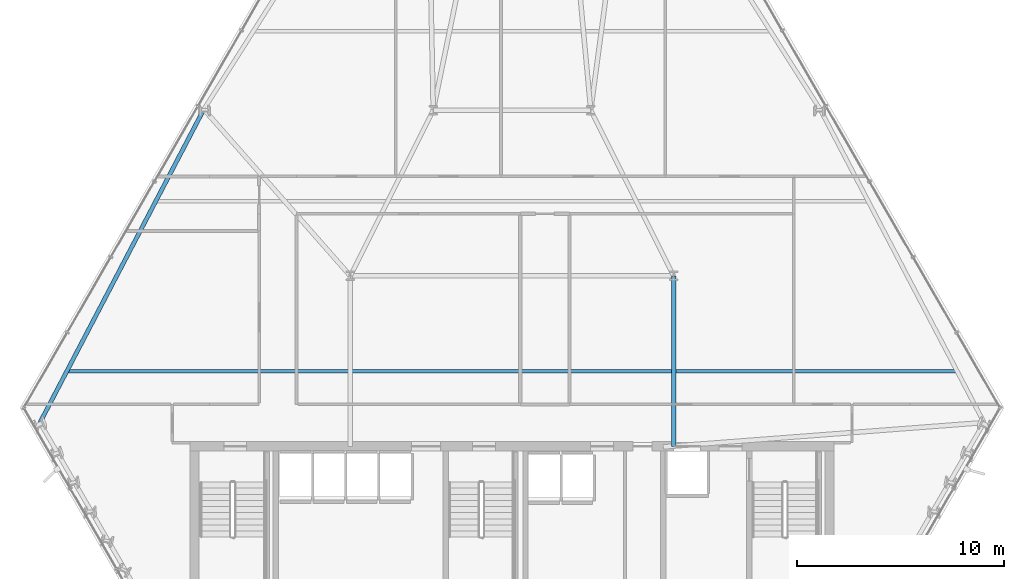
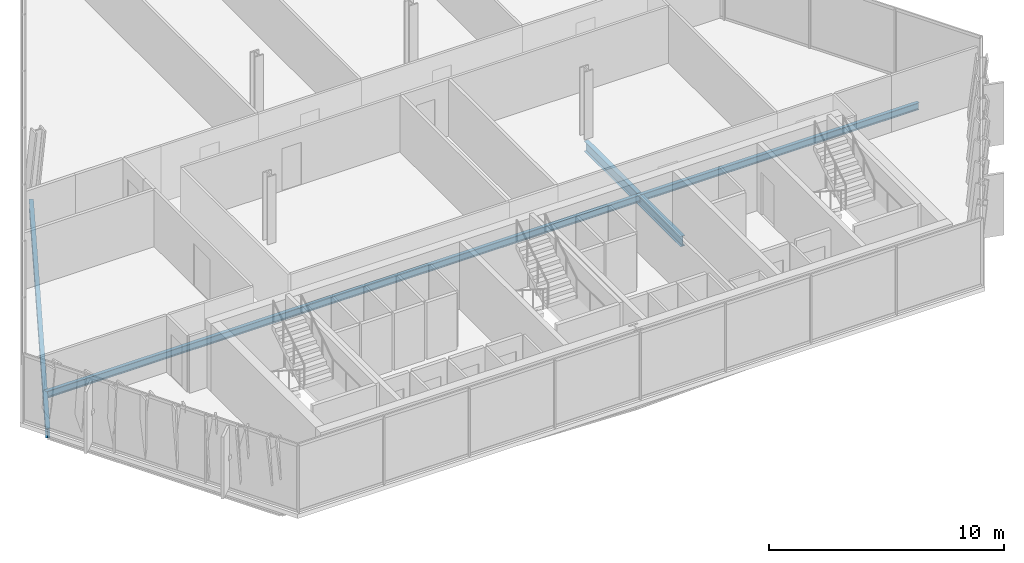
# One storey, part 10 of 31: 3 beams.
"""IFC4 building model written with IfcOpenShell, lengths in metres."""

import ifcopenshell
import ifcopenshell.guid

model = None  # the IFC model being written
_history = None  # IfcOwnerHistory: only IFC2X3 demands one
_inside = {}  # id of a spatial element -> (the spatial element, [elements in it])
_under = {}  # id of a project, library or spatial element -> (it, [spatial elements below it])
_declared = {}  # id of a project -> (the project, [libraries it declares])
_typed = {}  # id of a type object -> (the type object, [elements of that type])
_made_of = {}  # id of a material, layer set ... -> (it, [elements and type objects made of it])


def new_model(schema):
    """Start an empty IFC model of exactly this schema.

    Asked for "IFC4X3", IfcOpenShell would pick the latest addendum, in which some entities
    have other attributes; the version numbers below select the first issue.
    IFC2X3 requires an IfcOwnerHistory on every rooted entity: one is made here for all.
    """
    global model, _history
    if schema == "IFC4X3":
        model = ifcopenshell.file(schema_version=(4, 3, 0, 0))
    else:
        model = ifcopenshell.file(schema=schema)
    _inside.clear()
    _under.clear()
    _declared.clear()
    _typed.clear()
    _made_of.clear()
    _history = None
    if model.schema == "IFC2X3":
        org = make("IfcOrganization", Name="unknown")
        user = make(
            "IfcPersonAndOrganization",
            ThePerson=make("IfcPerson", FamilyName="unknown"),
            TheOrganization=org,
        )
        app = make(
            "IfcApplication",
            ApplicationDeveloper=org,
            Version="unknown",
            ApplicationFullName="unknown",
            ApplicationIdentifier="unknown",
        )
        _history = make(
            "IfcOwnerHistory",
            OwningUser=user,
            OwningApplication=app,
            ChangeAction="ADDED",
            CreationDate=0,
        )
    return model


def make(cls, **values):
    """One entity of the class cls with the attributes given. An attribute that is None is left unset."""
    return model.create_entity(
        cls, **{name: value for name, value in values.items() if value is not None}
    )


def rooted(cls, **values):
    """An entity with a GlobalId (a new one), such as an element, a storey or a relation."""
    return make(cls, GlobalId=ifcopenshell.guid.new(), OwnerHistory=_history, **values)


def si_unit(unit_type, name, prefix=None):
    """IfcSIUnit, for example si_unit("LENGTHUNIT", "METRE", prefix="MILLI")."""
    return make("IfcSIUnit", UnitType=unit_type, Prefix=prefix, Name=name)


def assignment(units):
    """IfcUnitAssignment: the units of a project."""
    return None if units is None else make("IfcUnitAssignment", Units=units)


def point(xyz):
    """IfcCartesianPoint."""
    return None if xyz is None else make("IfcCartesianPoint", Coordinates=xyz)


def direction(xyz):
    """IfcDirection."""
    return None if xyz is None else make("IfcDirection", DirectionRatios=xyz)


def frame(location, z_axis=None, x_axis=None):
    """IfcAxis2Placement3D, a coordinate frame: its origin and axes. An axis left out is left unset."""
    return make(
        "IfcAxis2Placement3D",
        Location=point(location),
        Axis=direction(z_axis),
        RefDirection=direction(x_axis),
    )


def frame_2d(location, x_axis=None):
    """IfcAxis2Placement2D, a coordinate frame in the plane: its origin and x axis."""
    return make(
        "IfcAxis2Placement2D", Location=point(location), RefDirection=direction(x_axis)
    )


def origin():
    """The frame at (0, 0, 0) with its axes left unset."""
    return frame((0.0, 0.0, 0.0))


def origin_2d():
    """The frame at (0, 0) in the plane with its x axis left unset."""
    return frame_2d((0.0, 0.0))


def place(relative_to, where):
    """IfcLocalPlacement: puts the frame where relative to a parent placement (None: the world)."""
    return make(
        "IfcLocalPlacement", PlacementRelTo=relative_to, RelativePlacement=where
    )


def context(
    kind, dimensions, precision=None, world=None, true_north=None, identifier=None
):
    """IfcGeometricRepresentationContext, for example the 3D "Model" context."""
    return make(
        "IfcGeometricRepresentationContext",
        ContextIdentifier=identifier,
        ContextType=kind,
        CoordinateSpaceDimension=dimensions,
        Precision=precision,
        WorldCoordinateSystem=world,
        TrueNorth=true_north,
    )


def subcontext(parent, identifier, kind, view, scale=None):
    """IfcGeometricRepresentationSubContext, for example "Body" below "Model"."""
    return make(
        "IfcGeometricRepresentationSubContext",
        ContextIdentifier=identifier,
        ContextType=kind,
        ParentContext=parent,
        TargetScale=scale,
        TargetView=view,
    )


def project(units=None, contexts=None):
    """IfcProject with its units and contexts."""
    return rooted(
        "IfcProject",
        Name="project",
        RepresentationContexts=contexts,
        UnitsInContext=assignment(units),
    )


def spatial(cls, under=None, at=None, **own):
    """A site, building, storey or space (cls), placed at a placement, below another one or the project."""
    s = rooted(cls, ObjectPlacement=at, **own)
    if under is not None:
        _under.setdefault(under.id(), (under, []))[1].append(s)
    return s


def profile(cls, at=None, kind="AREA", **sizes):
    """A parametric profile (cls). Its sizes go by their IFC names, for example OverallWidth=200.0."""
    return make(cls, ProfileType=kind, Position=at, **sizes)


def i_section(**sizes):
    """IfcIShapeProfileDef."""
    return profile("IfcIShapeProfileDef", **sizes)


def extrude(swept, where, along, depth):
    """IfcExtrudedAreaSolid: the profile swept, set in the frame where, extruded along a direction by depth."""
    return make(
        "IfcExtrudedAreaSolid",
        SweptArea=swept,
        Position=where,
        ExtrudedDirection=direction(along),
        Depth=depth,
    )


def shape(context_of_items, identifier, shape_type, items):
    """IfcShapeRepresentation: the items that make up one representation, for example the "Body"."""
    return make(
        "IfcShapeRepresentation",
        ContextOfItems=context_of_items,
        RepresentationIdentifier=identifier,
        RepresentationType=shape_type,
        Items=items,
    )


def material(Name=None, Category=None):
    """IfcMaterial."""
    return make("IfcMaterial", Name=Name, Category=Category)


def material_profile(
    of_material, cross_section, Name=None, Category=None, Priority=None
):
    """IfcMaterialProfile: a cross section and its material."""
    return make(
        "IfcMaterialProfile",
        Name=Name,
        Material=of_material,
        Profile=cross_section,
        Priority=Priority,
        Category=Category,
    )


def profile_set(profiles, Name=None, composite=None):
    """IfcMaterialProfileSet."""
    return make(
        "IfcMaterialProfileSet",
        Name=Name,
        MaterialProfiles=profiles,
        CompositeProfile=composite,
    )


def made_of(thing, what):
    """Note that an element or type object is made of a material, layer set ...; save() writes the relation."""
    if what is not None:
        _made_of.setdefault(what.id(), (what, []))[1].append(thing)
    return thing


def type_object(cls, material=None, **own):
    """A type object (cls), such as IfcWallType, which elements share."""
    return made_of(rooted(cls, **own), material)


def element(
    cls,
    number,
    at=None,
    inside=None,
    cuts=None,
    type_object=None,
    material=None,
    context=None,
    identifier="Body",
    shape_type=None,
    held_by="IfcProductDefinitionShape",
    body=None,
    shapes=None,
    **own,
):
    """One element of the class cls, such as IfcWall. Its Tag is "e" and its number.

    at: its placement. inside: the storey or other place that contains it. cuts: it is an
    opening in that element (IfcRelVoidsElement). A single representation is given by context,
    identifier, shape_type and body (its items); several are given by shapes. held_by: the class
    of the entity that holds the representations. save() writes the other relations.
    """
    e = rooted(cls, Tag="e%d" % number, ObjectPlacement=at, **own)
    if body is not None:
        shapes = [shape(context, identifier, shape_type, body)]
    if shapes is not None:
        e.Representation = make(held_by, Representations=shapes)
    if inside is not None:
        _inside.setdefault(inside.id(), (inside, []))[1].append(e)
    if cuts is not None:
        rooted(
            "IfcRelVoidsElement", RelatingBuildingElement=cuts, RelatedOpeningElement=e
        )
    if type_object is not None:
        _typed.setdefault(type_object.id(), (type_object, []))[1].append(e)
    return made_of(e, material)


def aggregate(whole, parts):
    """IfcRelAggregates: a whole, such as a stair, and the parts it consists of."""
    return rooted("IfcRelAggregates", RelatingObject=whole, RelatedObjects=parts)


def save(model, path):
    """Write the relations noted so far, then the file.

    IfcRelAggregates (storeys below a building ...), IfcRelContainedInSpatialStructure (elements
    in a storey), IfcRelDefinesByType, IfcRelAssociatesMaterial and IfcRelDeclares: one each for
    every whole, place, type object, material and project.
    """
    for whole, parts in _under.values():
        aggregate(whole, parts)
    for where, things in _inside.values():
        rooted(
            "IfcRelContainedInSpatialStructure",
            RelatedElements=things,
            RelatingStructure=where,
        )
    for kind, things in _typed.values():
        rooted("IfcRelDefinesByType", RelatedObjects=things, RelatingType=kind)
    for what, things in _made_of.values():
        rooted("IfcRelAssociatesMaterial", RelatedObjects=things, RelatingMaterial=what)
    for by, libraries in _declared.values():
        rooted("IfcRelDeclares", RelatingContext=by, RelatedDefinitions=libraries)
    model.write(path)


model = new_model("IFC4")

# Units and contexts
model_context = context("Model", 3, precision=1e-05, world=origin(), true_north=direction((0.0, 1.0)))
body_context = subcontext(model_context, "Body", "Model", "MODEL_VIEW")
ifc_project = project(units=[si_unit("LENGTHUNIT", "METRE"), si_unit("AREAUNIT", "SQUARE_METRE"), si_unit("VOLUMEUNIT", "CUBIC_METRE"), si_unit("PLANEANGLEUNIT", "RADIAN"), si_unit("MASSUNIT", "GRAM", prefix="KILO")], contexts=[model_context])

# Site, building, storey
site_placement = place(None, origin())
site = spatial("IfcSite", under=ifc_project, at=site_placement, CompositionType="ELEMENT")
building_placement = place(site_placement, origin())
building = spatial("IfcBuilding", under=site, at=building_placement, Name="Ndaravel Arena Tower", CompositionType="ELEMENT")
storey_placement = place(building_placement, frame((0.0, 0.0, 108.199951171875)))
storey = spatial("IfcBuildingStorey", under=building, at=storey_placement, Name="L25", CompositionType="ELEMENT", Elevation=108.199951171875)

# Beams
ifc_material_1 = material(Name="Steel S355", Category="steel")
ifc_material_profile_1 = material_profile(ifc_material_1, i_section(OverallWidth=0.210693359375, OverallDepth=0.53955078125, WebThickness=0.01171875, FlangeThickness=0.018798828125, FilletRadius=0.0126953125, at=origin_2d()), Name="UB 533x210x109")
ifc_profile_set_1 = profile_set([ifc_material_profile_1], Name="Steel S355")
beam_type_1 = type_object("IfcBeamType", Name="BM-GIRD-UB533", PredefinedType="BEAM", material=ifc_profile_set_1)
beam_1_placement = place(storey_placement, frame((49.800048828125, 14.97998046875, -0.48974609375), z_axis=(0.0, 1.0, 0.0), x_axis=(-1.0, 0.0, 0.0)))
element("IfcBeam", 1, at=beam_1_placement, inside=storey, type_object=beam_type_1, Name="L25 Spine Link Girder SLG-02", PredefinedType="BEAM", context=body_context, shape_type="SweptSolid", body=[
    extrude(i_section(OverallWidth=0.210693359375, OverallDepth=0.53955078125, WebThickness=0.01171875, FlangeThickness=0.018798828125, FilletRadius=0.0126953125, at=origin_2d()), origin(), (0.0, 0.0, 1.0), 8.219970703125),
])
ifc_material_2 = material(Name="Steel S355", Category="steel")
ifc_material_profile_2 = material_profile(ifc_material_2, i_section(OverallWidth=0.169921875, OverallDepth=0.360107421875, WebThickness=0.008056640625, FlangeThickness=0.0126953125, FilletRadius=0.01806640625, at=origin_2d()), Name="IPE 360")
ifc_profile_set_2 = profile_set([ifc_material_profile_2], Name="Steel S355")
beam_type_2 = type_object("IfcBeamType", Name="BM-JOIST-IPE360", PredefinedType="JOIST", material=ifc_profile_set_2)
beam_2_placement = place(storey_placement, frame((20.517578125, 18.60009765625, -0.39990234375), z_axis=(1.0, 0.0, 0.0), x_axis=(0.0, 1.0, 0.0)))
element("IfcBeam", 2, at=beam_2_placement, inside=storey, type_object=beam_type_2, Name="L25 Composite Floor Joist FJ-01", PredefinedType="JOIST", context=body_context, shape_type="SweptSolid", body=[
    extrude(i_section(OverallWidth=0.169921875, OverallDepth=0.360107421875, WebThickness=0.008056640625, FlangeThickness=0.0126953125, FilletRadius=0.01806640625, at=origin_2d()), origin(), (0.0, 0.0, 1.0), 42.96484375),
])
ifc_material_3 = material(Name="Steel S355", Category="steel")
ifc_material_profile_3 = material_profile(ifc_material_3, i_section(OverallWidth=0.199951171875, OverallDepth=0.5, WebThickness=0.01025390625, FlangeThickness=0.01611328125, FilletRadius=0.02099609375, at=origin_2d()), Name="IPE 500")
ifc_profile_set_3 = profile_set([ifc_material_profile_3], Name="Steel S355")
beam_type_3 = type_object("IfcBeamType", Name="BM-SPAN-IPE500", PredefinedType="SPANDREL", material=ifc_profile_set_3)
beam_3_placement = place(storey_placement, frame((27.12890625, 31.23779296875, -0.469970703125), z_axis=(-0.463540575518, -0.886075693634, 0.0), x_axis=(0.886075693634, -0.463540575518, 0.0)))
element("IfcBeam", 3, at=beam_3_placement, inside=storey, type_object=beam_type_3, Name="L25 Perimeter Spandrel Beam SP-19", PredefinedType="SPANDREL", context=body_context, shape_type="SweptSolid", body=[
    extrude(i_section(OverallWidth=0.199951171875, OverallDepth=0.5, WebThickness=0.01025390625, FlangeThickness=0.01611328125, FilletRadius=0.02099609375, at=origin_2d()), origin(), (0.0, 0.0, 1.0), 17.057861328125),
])

save(model, "model.ifc")
